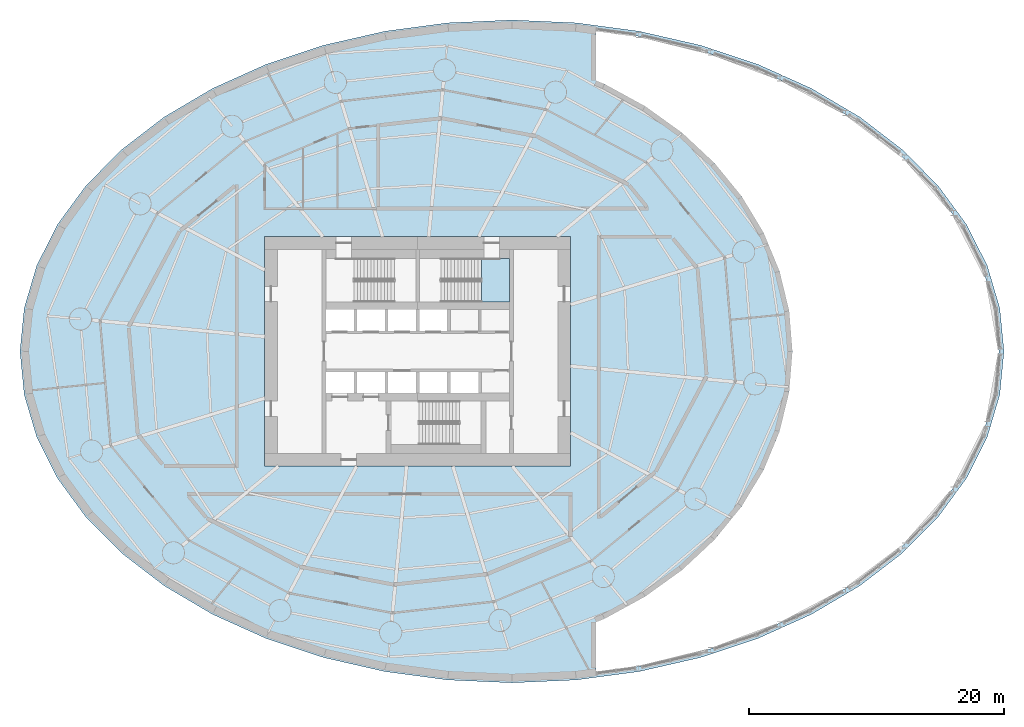
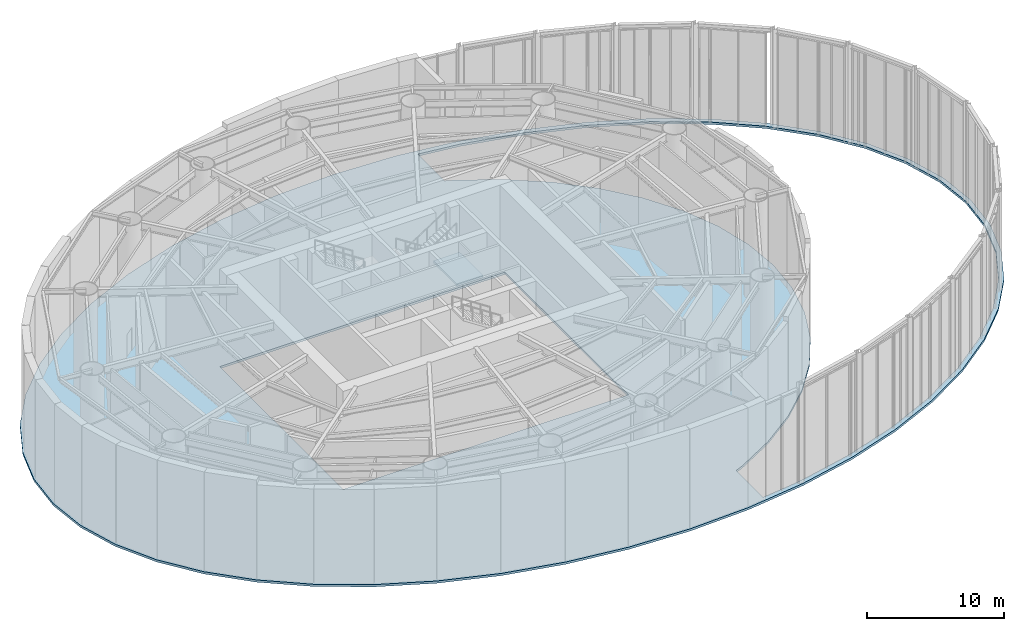
# One storey, part 11 of 19: 2 slabs, 1 element without a shape of its own.
"""IFC4 building model written with IfcOpenShell, lengths in metres."""

from ifc_helpers import new_model, si_unit, direction, frame, origin, place, context, subcontext, project, spatial, polyline, outline, extrude, material, layer, layer_set, type_object, element, aggregate, save


model = new_model("IFC4")

# Units and contexts
model_context = context("Model", 3, precision=1e-05, world=origin(), true_north=direction((0.0, 1.0)))
body_context = subcontext(model_context, "Body", "Model", "MODEL_VIEW")
ifc_project = project(units=[si_unit("LENGTHUNIT", "METRE"), si_unit("AREAUNIT", "SQUARE_METRE"), si_unit("VOLUMEUNIT", "CUBIC_METRE"), si_unit("PLANEANGLEUNIT", "RADIAN"), si_unit("MASSUNIT", "GRAM", prefix="KILO")], contexts=[model_context])

# Site, building, storey
site_placement = place(None, origin())
site = spatial("IfcSite", under=ifc_project, at=site_placement, CompositionType="ELEMENT")
building_placement = place(site_placement, origin())
building = spatial("IfcBuilding", under=site, at=building_placement, Name="Vermilion Reach Broadcast Tower", CompositionType="ELEMENT")
storey_placement = place(building_placement, frame((0.0, 0.0, 17.0)))
storey = spatial("IfcBuildingStorey", under=building, at=storey_placement, Name="L02", CompositionType="ELEMENT", Elevation=17.0)

# Stair, slab
ifc_material_1 = material(Name="Concrete C40", Category="concrete")
stair_type = type_object("IfcStairType", Name="Exit stair RC 52 risers 173 mm", PredefinedType="HALF_TURN_STAIR", material=ifc_material_1)
stair_placement = place(storey_placement, origin())
stair = element("IfcStair", 1, at=stair_placement, inside=storey, type_object=stair_type, Name="L02 Exit stair ST2", PredefinedType="HALF_TURN_STAIR")
ifc_material_2 = material(Name="Concrete C40", Category="concrete")
ifc_layer_1 = layer(ifc_material_2, 0.199951171875)
ifc_layer_set_1 = layer_set([ifc_layer_1], Name="Exit stair landing Concrete C40")
slab_type_1 = type_object("IfcSlabType", Name="Exit stair landing Concrete C40", PredefinedType="LANDING", material=ifc_layer_set_1)
slab_1_placement = place(storey_placement, frame((0.0, 0.0, 4.300048828125)))
slab_1 = element("IfcSlab", 2, at=slab_1_placement, type_object=slab_type_1, Name="ST2 landing 2", PredefinedType="LANDING", context=body_context, shape_type="SweptSolid", body=[
    extrude(outline(polyline([(1.199951171875, 7.300048828125), (-1.0, 7.300048828125), (-1.0, 3.8798828125), (1.199951171875, 3.8798828125), (1.199951171875, 7.300048828125)])), origin(), (0.0, 0.0, 1.0), 0.199951171875),
])
aggregate(stair, [slab_1])

# Slab
ifc_material_3 = material(Name="Concrete C40", Category="concrete")
ifc_layer_2 = layer(ifc_material_3, 0.199951171875)
ifc_layer_set_2 = layer_set([ifc_layer_2], Name="Floor slab Concrete C40 200")
slab_type_2 = type_object("IfcSlabType", Name="Floor slab Concrete C40 200", PredefinedType="FLOOR", material=ifc_layer_set_2)
slab_2_placement = place(storey_placement, frame((0.0, 0.0, -0.199951171875)))
element("IfcSlab", 3, at=slab_2_placement, inside=storey, type_object=slab_type_2, Name="Floor slab L02", PredefinedType="FLOOR", context=body_context, shape_type="SweptSolid", body=[
    extrude(outline(polyline([(40.0, 0.0), (39.669677734375, 3.393798828125), (38.684814453125, 6.729248046875), (37.061767578125, 9.94970703125), (34.82861328125, 13.0), (32.0234375, 15.827880859375), (28.6943359375, 18.384765625), (24.898193359375, 20.627197265625), (20.699951171875, 22.5166015625), (16.171630859375, 24.020751953125), (11.390380859375, 25.114013671875), (6.438232421875, 25.777587890625), (1.39990234375, 26.0), (-3.638427734375, 25.777587890625), (-8.59033203125, 25.114013671875), (-13.37158203125, 24.020751953125), (-17.89990234375, 22.5166015625), (-22.09814453125, 20.627197265625), (-25.894287109375, 18.384765625), (-29.223388671875, 15.827880859375), (-32.028564453125, 13.0), (-34.26171875, 9.94970703125), (-35.884765625, 6.729248046875), (-36.869873046875, 3.393798828125), (-37.199951171875, 0.0), (-36.869873046875, -3.393798828125), (-35.884765625, -6.729248046875), (-34.26171875, -9.94970703125), (-32.028564453125, -13.0), (-29.223388671875, -15.827880859375), (-25.894287109375, -18.384765625), (-22.09814453125, -20.627197265625), (-17.89990234375, -22.5166015625), (-13.37158203125, -24.020751953125), (-8.59033203125, -25.114013671875), (-3.638427734375, -25.777587890625), (1.39990234375, -26.0), (6.438232421875, -25.777587890625), (11.390380859375, -25.114013671875), (16.171630859375, -24.020751953125), (20.699951171875, -22.5166015625), (24.898193359375, -20.627197265625), (28.6943359375, -18.384765625), (32.0234375, -15.827880859375), (34.82861328125, -13.0), (37.061767578125, -9.94970703125), (38.684814453125, -6.729248046875), (39.669677734375, -3.393798828125), (40.0, 0.0)]), holes=[polyline([(8.0, 25.1650390625), (8.0, 21.245849609375), (8.656494140625, 20.98046875), (11.851806640625, 19.23095703125), (14.744873046875, 17.15185546875), (17.28662109375, 14.77685546875), (19.43212890625, 12.1455078125), (21.143310546875, 9.302001953125), (22.388916015625, 6.294677734375), (23.14599609375, 3.175537109375), (23.39990234375, 0.0), (23.14599609375, -3.175537109375), (22.388916015625, -6.294677734375), (21.143310546875, -9.302001953125), (19.43212890625, -12.1455078125), (17.28662109375, -14.77685546875), (14.744873046875, -17.15185546875), (11.851806640625, -19.23095703125), (8.656494140625, -20.98046875), (8.0, -21.245849609375), (8.0, -25.1650390625), (11.3193359375, -24.720458984375), (16.06396484375, -23.635498046875), (20.554931640625, -22.143798828125), (24.714599609375, -20.271728515625), (28.470947265625, -18.052978515625), (31.759521484375, -15.527099609375), (34.52490234375, -12.73974609375), (36.720947265625, -9.740234375), (38.31298828125, -6.58154296875), (39.277099609375, -3.31689453125), (39.60009765625, 0.0), (39.277099609375, 3.31689453125), (38.31298828125, 6.58154296875), (36.720947265625, 9.740234375), (34.52490234375, 12.73974609375), (31.759521484375, 15.527099609375), (28.470947265625, 18.052978515625), (24.714599609375, 20.271728515625), (20.554931640625, 22.143798828125), (16.06396484375, 23.635498046875), (11.3193359375, 24.720458984375), (8.0, 25.1650390625)]), polyline([(-18.0, -9.0), (6.0, -9.0), (6.0, 9.0), (-18.0, 9.0), (-18.0, -9.0)])]), origin(), (0.0, 0.0, 1.0), 0.199951171875),
])

save(model, "model.ifc")
